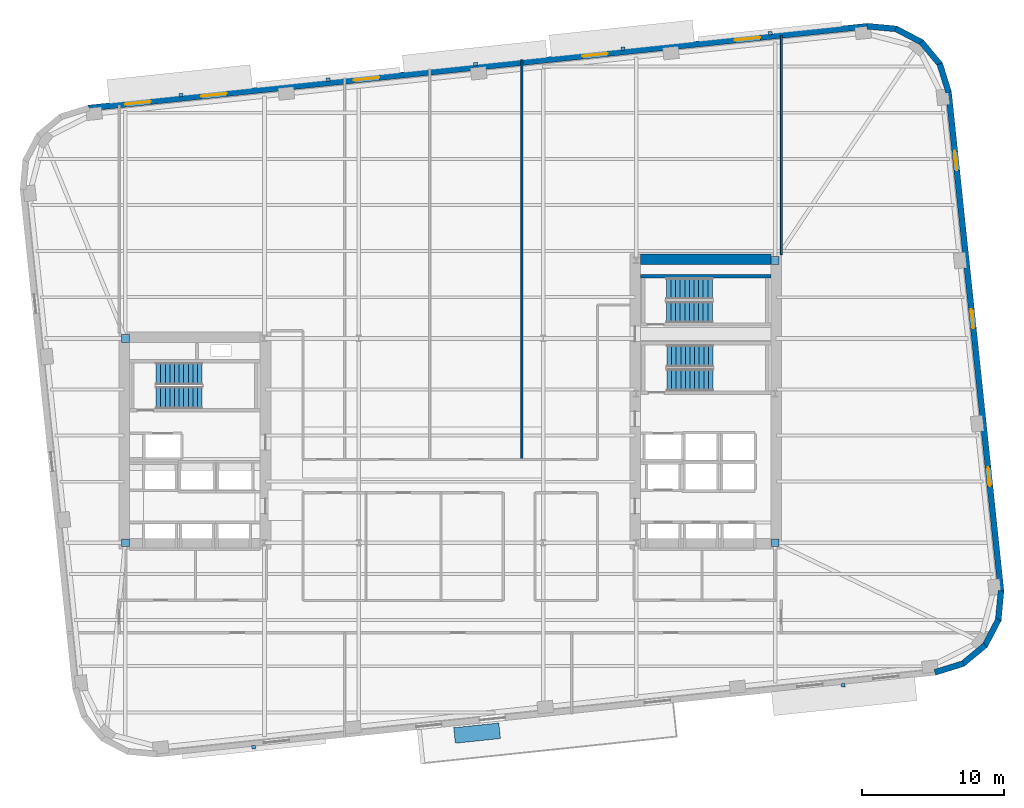
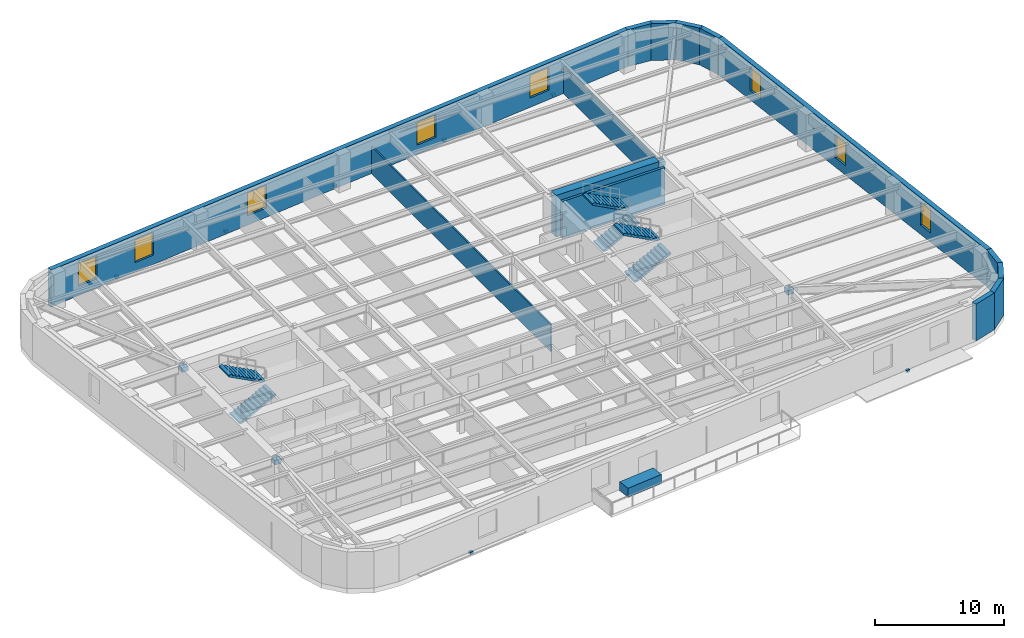
# One storey, part 7 of 11: 14 walls, 12 discrete accessories, 8 windows, 6 stair flights, 8 openings, 3 elements without a shape of their own.
"""IFC4 building model written with IfcOpenShell, lengths in metres."""

from ifc_helpers import new_model, si_unit, direction, frame, frame_2d, origin, origin_2d, place, context, subcontext, project, spatial, polyline, rectangle, outline, extrude, material, layer, layer_set, type_object, element, fill, aggregate, save


model = new_model("IFC4")

# Units and contexts
model_context = context("Model", 3, precision=1e-05, world=origin(), true_north=direction((0.0, 1.0)))
body_context = subcontext(model_context, "Body", "Model", "MODEL_VIEW")
ifc_project = project(units=[si_unit("LENGTHUNIT", "METRE"), si_unit("AREAUNIT", "SQUARE_METRE"), si_unit("VOLUMEUNIT", "CUBIC_METRE"), si_unit("PLANEANGLEUNIT", "RADIAN"), si_unit("MASSUNIT", "GRAM", prefix="KILO")], contexts=[model_context])

# Site, building, storey
site_placement = place(None, origin())
site = spatial("IfcSite", under=ifc_project, at=site_placement, CompositionType="ELEMENT")
building_placement = place(site_placement, origin())
building = spatial("IfcBuilding", under=site, at=building_placement, Name="Kolvaren Arena Tower", CompositionType="ELEMENT")
storey_placement = place(building_placement, frame((0.0, 0.0, 99.699951171875)))
storey = spatial("IfcBuildingStorey", under=building, at=storey_placement, Name="L22", CompositionType="ELEMENT", Elevation=99.699951171875)

# Walls
ifc_material_1 = material(Name="Concrete 70 MPa", Category="concrete")
ifc_layer_1 = layer(ifc_material_1, 0.75)
ifc_layer_set_1 = layer_set([ifc_layer_1], Name="Concrete 70 MPa")
wall_type_1 = type_object("IfcWallType", Name="CWALL-750", PredefinedType="SHEAR", material=ifc_layer_set_1)
wall_1_placement = place(storey_placement, frame((50.85009765625, 39.425048828125, -0.449951171875), z_axis=(0.0, 0.0, 1.0), x_axis=(1.0, 0.0, 0.0)))
element("IfcWall", 1, at=wall_1_placement, inside=storey, type_object=wall_type_1, Name="Core Shear Wall EC-NORTH (L22)", PredefinedType="SHEAR", context=body_context, shape_type="SweptSolid", body=[
    extrude(rectangle(XDim=9.199951171875, YDim=0.75, at=frame_2d((4.60009765625, 0.0))), origin(), (0.0, 0.0, 1.0), 3.929931640625),
])
ifc_material_2 = material(Name="Precast concrete C50/60", Category="concrete")
ifc_layer_2 = layer(ifc_material_2, 0.419921875)
ifc_layer_set_2 = layer_set([ifc_layer_2], Name="Precast concrete C50/60")
wall_type_2 = type_object("IfcWallType", Name="EXT-PIER1", PredefinedType="SOLIDWALL", material=ifc_layer_set_2)
for number, where, z_axis, x_axis, name in (
    (2, (73.61328125, 10.93701171875, 0.0), (0.0, 0.0, 1.0), (-0.954993985335, -0.296625164093, 0.0), "Exterior Precast Masonry-Frame Wall (L22)"),
    (3, (75.1611328125, 12.2451171875, 0.0), (0.0, 0.0, 1.0), (-0.768800317178, -0.639488914921, 0.0), "Exterior Precast Masonry-Frame Wall (L22)"),
):
    element("IfcWall", number, at=place(storey_placement, frame(where, z_axis=z_axis, x_axis=x_axis)), inside=storey, type_object=wall_type_2, Name=name, PredefinedType="SOLIDWALL", context=body_context, shape_type="SweptSolid", body=[
        extrude(rectangle(XDim=2.10693359375, YDim=0.419921875, at=frame_2d((1.053466796875, 0.0))), origin(), (0.0, 0.0, 1.0), 3.47998046875),
    ])
wall_2_placement = place(storey_placement, frame((76.0908203125, 14.046142578125, 0.0), z_axis=(0.0, 0.0, 1.0), x_axis=(-0.465655699908, -0.884965970613, 0.0)))
element("IfcWall", 4, at=wall_2_placement, inside=storey, type_object=wall_type_2, Name="Exterior Precast Masonry-Frame Wall (L22)", PredefinedType="SOLIDWALL", context=body_context, shape_type="SweptSolid", body=[
    extrude(rectangle(XDim=2.107177734375, YDim=0.419921875, at=frame_2d((1.0537109375, 0.0))), origin(), (0.0, 0.0, 1.0), 3.47998046875),
])
wall_3_placement = place(storey_placement, frame((76.26025390625, 16.065673828125, 0.0), z_axis=(0.0, 0.0, 1.0), x_axis=(-0.091538655308, -0.995801523691, 0.0)))
element("IfcWall", 5, at=wall_3_placement, inside=storey, type_object=wall_type_2, Name="Exterior Precast Masonry-Frame Wall (L22)", PredefinedType="SOLIDWALL", context=body_context, shape_type="SweptSolid", body=[
    extrude(rectangle(XDim=2.10693359375, YDim=0.419921875, at=frame_2d((1.053466796875, 0.0))), origin(), (0.0, 0.0, 1.0), 3.47998046875),
])

# Wall, openings, windows
wall_4_placement = place(storey_placement, frame((72.560302734375, 51.23046875, 0.0), z_axis=(0.0, 0.0, 1.0), x_axis=(0.1045253859, -0.994522218808, 0.0)))
wall_4 = element("IfcWall", 6, at=wall_4_placement, inside=storey, type_object=wall_type_2, Name="Exterior Precast Masonry-Frame Wall (L22)", PredefinedType="SOLIDWALL", context=body_context, shape_type="SweptSolid", body=[
    extrude(rectangle(XDim=35.39990234375, YDim=0.419921875, at=frame_2d((17.699951171875, 0.0))), origin(), (0.0, 0.0, 1.0), 3.47998046875),
])
opening_1_placement = place(wall_4_placement, frame((4.199951171875, 0.0, 0.8798828125)))
opening_1 = element("IfcOpeningElement", 7, at=opening_1_placement, cuts=wall_4, Name="Opening W04", PredefinedType="OPENING", context=body_context, shape_type="SweptSolid", body=[
    extrude(rectangle(XDim=1.35009765625, YDim=2.199951171875, at=frame_2d((0.675048828125, 1.10009765625))), frame((0.0, 0.219970703125, 0.0), z_axis=(0.0, -1.0, 0.0), x_axis=(1.0, 0.0, 0.0)), (0.0, 0.0, 1.0), 0.43994140625),
])
opening_2_placement = place(wall_4_placement, frame((15.39990234375, 0.0, 0.8798828125)))
opening_2 = element("IfcOpeningElement", 8, at=opening_2_placement, cuts=wall_4, Name="Opening W04", PredefinedType="OPENING", context=body_context, shape_type="SweptSolid", body=[
    extrude(rectangle(XDim=1.35009765625, YDim=2.199951171875, at=frame_2d((0.675048828125, 1.10009765625))), frame((0.0, 0.219970703125, 0.0), z_axis=(0.0, -1.0, 0.0), x_axis=(1.0, 0.0, 0.0)), (0.0, 0.0, 1.0), 0.43994140625),
])
opening_3_placement = place(wall_4_placement, frame((26.60009765625, 0.0, 0.8798828125)))
opening_3 = element("IfcOpeningElement", 9, at=opening_3_placement, cuts=wall_4, Name="Opening W04", PredefinedType="OPENING", context=body_context, shape_type="SweptSolid", body=[
    extrude(rectangle(XDim=1.35009765625, YDim=2.199951171875, at=frame_2d((0.675048828125, 1.10009765625))), frame((0.0, 0.219970703125, 0.0), z_axis=(0.0, -1.0, 0.0), x_axis=(1.0, 0.0, 0.0)), (0.0, 0.0, 1.0), 0.43994140625),
])
ifc_material_3 = material(Name="Triple-glazed curved-facet corner window", Category="glass")
window_type_1 = type_object("IfcWindowType", Name="WIN-CRN-A", PartitioningType="SINGLE_PANEL", PredefinedType="WINDOW", material=ifc_material_3)
window_1_placement = place(opening_1_placement, origin())
window_1 = element("IfcWindow", 10, at=window_1_placement, inside=storey, type_object=window_type_1, Name="End-Wall Punched Window (L22)", OverallHeight=2.199951171875, OverallWidth=1.35009765625, PartitioningType="SINGLE_PANEL", PredefinedType="WINDOW", context=body_context, shape_type="SweptSolid", body=[
    extrude(rectangle(XDim=1.35009765625, YDim=2.199951171875, at=frame_2d((0.675048828125, 1.10009765625))), frame((0.0, 0.030029296875, 0.0), z_axis=(0.0, -1.0, 0.0), x_axis=(1.0, 0.0, 0.0)), (0.0, 0.0, 1.0), 0.06005859375),
])
fill(opening_1, window_1)
window_2_placement = place(opening_2_placement, origin())
window_2 = element("IfcWindow", 11, at=window_2_placement, inside=storey, type_object=window_type_1, Name="End-Wall Punched Window (L22)", OverallHeight=2.199951171875, OverallWidth=1.35009765625, PartitioningType="SINGLE_PANEL", PredefinedType="WINDOW", context=body_context, shape_type="SweptSolid", body=[
    extrude(rectangle(XDim=1.35009765625, YDim=2.199951171875, at=frame_2d((0.675048828125, 1.10009765625))), frame((0.0, 0.030029296875, 0.0), z_axis=(0.0, -1.0, 0.0), x_axis=(1.0, 0.0, 0.0)), (0.0, 0.0, 1.0), 0.06005859375),
])
fill(opening_2, window_2)
window_3_placement = place(opening_3_placement, origin())
window_3 = element("IfcWindow", 12, at=window_3_placement, inside=storey, type_object=window_type_1, Name="End-Wall Punched Window (L22)", OverallHeight=2.199951171875, OverallWidth=1.35009765625, PartitioningType="SINGLE_PANEL", PredefinedType="WINDOW", context=body_context, shape_type="SweptSolid", body=[
    extrude(rectangle(XDim=1.35009765625, YDim=2.199951171875, at=frame_2d((0.675048828125, 1.10009765625))), frame((0.0, 0.030029296875, 0.0), z_axis=(0.0, -1.0, 0.0), x_axis=(1.0, 0.0, 0.0)), (0.0, 0.0, 1.0), 0.06005859375),
])
fill(opening_3, window_3)

# Walls
for number, where, z_axis, x_axis, name in (
    (13, (71.943603515625, 53.202392578125, 0.0), (0.0, 0.0, 1.0), (0.296625164093, -0.954993985335, 0.0), "Exterior Precast Masonry-Frame Wall (L22)"),
    (14, (70.635498046875, 54.750244140625, 0.0), (0.0, 0.0, 1.0), (0.639488914921, -0.768800317178, 0.0), "Exterior Precast Masonry-Frame Wall (L22)"),
    (15, (68.83447265625, 55.6796875, 0.0), (0.0, 0.0, 1.0), (0.885013714693, -0.465564952296, 0.0), "Exterior Precast Masonry-Frame Wall (L22)"),
    (16, (66.81494140625, 55.849365234375, 0.0), (0.0, 0.0, 1.0), (0.995801523691, -0.091538655308, 0.0), "Exterior Precast Masonry-Frame Wall (L22)"),
):
    element("IfcWall", number, at=place(storey_placement, frame(where, z_axis=z_axis, x_axis=x_axis)), inside=storey, type_object=wall_type_2, Name=name, PredefinedType="SOLIDWALL", context=body_context, shape_type="SweptSolid", body=[
        extrude(rectangle(XDim=2.10693359375, YDim=0.419921875, at=frame_2d((1.053466796875, 0.0))), origin(), (0.0, 0.0, 1.0), 3.47998046875),
    ])

# Wall, openings, windows
wall_5_placement = place(storey_placement, frame((11.95849609375, 50.07958984375, 0.0), z_axis=(0.0, 0.0, 1.0), x_axis=(0.994521823388, 0.104529148113, 0.0)))
wall_5 = element("IfcWall", 17, at=wall_5_placement, inside=storey, type_object=wall_type_2, Name="Exterior Precast Masonry-Frame Wall (L22)", PredefinedType="SOLIDWALL", context=body_context, shape_type="SweptSolid", body=[
    extrude(rectangle(XDim=55.2001953125, YDim=0.419921875, at=frame_2d((27.60009765625, 0.0))), origin(), (0.0, 0.0, 1.0), 3.47998046875),
])
opening_4_placement = place(wall_5_placement, frame((2.60009765625, 0.0, 0.8798828125)))
opening_4 = element("IfcOpeningElement", 18, at=opening_4_placement, cuts=wall_5, Name="Opening W02", PredefinedType="OPENING", context=body_context, shape_type="SweptSolid", body=[
    extrude(rectangle(XDim=1.800048828125, YDim=2.14990234375, at=frame_2d((0.89990234375, 1.074951171875))), frame((0.0, 0.219970703125, 0.0), z_axis=(0.0, -1.0, 0.0), x_axis=(1.0, 0.0, 0.0)), (0.0, 0.0, 1.0), 0.43994140625),
])
opening_5_placement = place(wall_5_placement, frame((8.0, 0.0, 0.8798828125)))
opening_5 = element("IfcOpeningElement", 19, at=opening_5_placement, cuts=wall_5, Name="Opening W02", PredefinedType="OPENING", context=body_context, shape_type="SweptSolid", body=[
    extrude(rectangle(XDim=1.800048828125, YDim=2.14990234375, at=frame_2d((0.89990234375, 1.074951171875))), frame((0.0, 0.219970703125, 0.0), z_axis=(0.0, -1.0, 0.0), x_axis=(1.0, 0.0, 0.0)), (0.0, 0.0, 1.0), 0.43994140625),
])
opening_6_placement = place(wall_5_placement, frame((18.800048828125, 0.0, 0.8798828125)))
opening_6 = element("IfcOpeningElement", 20, at=opening_6_placement, cuts=wall_5, Name="Opening W02", PredefinedType="OPENING", context=body_context, shape_type="SweptSolid", body=[
    extrude(rectangle(XDim=1.800048828125, YDim=2.14990234375, at=frame_2d((0.89990234375, 1.074951171875))), frame((0.0, 0.219970703125, 0.0), z_axis=(0.0, -1.0, 0.0), x_axis=(1.0, 0.0, 0.0)), (0.0, 0.0, 1.0), 0.43994140625),
])
opening_7_placement = place(wall_5_placement, frame((35.0, 0.0, 0.8798828125)))
opening_7 = element("IfcOpeningElement", 21, at=opening_7_placement, cuts=wall_5, Name="Opening W02", PredefinedType="OPENING", context=body_context, shape_type="SweptSolid", body=[
    extrude(rectangle(XDim=1.800048828125, YDim=2.14990234375, at=frame_2d((0.89990234375, 1.074951171875))), frame((0.0, 0.219970703125, 0.0), z_axis=(0.0, -1.0, 0.0), x_axis=(1.0, 0.0, 0.0)), (0.0, 0.0, 1.0), 0.43994140625),
])
opening_8_placement = place(wall_5_placement, frame((45.800048828125, 0.0, 0.8798828125)))
opening_8 = element("IfcOpeningElement", 22, at=opening_8_placement, cuts=wall_5, Name="Opening W02", PredefinedType="OPENING", context=body_context, shape_type="SweptSolid", body=[
    extrude(rectangle(XDim=1.800048828125, YDim=2.14990234375, at=frame_2d((0.89990234375, 1.074951171875))), frame((0.0, 0.219970703125, 0.0), z_axis=(0.0, -1.0, 0.0), x_axis=(1.0, 0.0, 0.0)), (0.0, 0.0, 1.0), 0.43994140625),
])
ifc_material_4 = material(Name="Triple-glazed low-E aluminium window", Category="aluminium")
window_type_2 = type_object("IfcWindowType", Name="WIN-OFF-B", PartitioningType="DOUBLE_PANEL_VERTICAL", PredefinedType="WINDOW", material=ifc_material_4)
window_4_placement = place(opening_4_placement, origin())
window_4 = element("IfcWindow", 23, at=window_4_placement, inside=storey, type_object=window_type_2, Name="Punched Precast-Pier Window (L22)", OverallHeight=2.14990234375, OverallWidth=1.800048828125, PartitioningType="DOUBLE_PANEL_VERTICAL", PredefinedType="WINDOW", context=body_context, shape_type="SweptSolid", body=[
    extrude(rectangle(XDim=1.800048828125, YDim=2.14990234375, at=frame_2d((0.89990234375, 1.074951171875))), frame((0.0, 0.030029296875, 0.0), z_axis=(0.0, -1.0, 0.0), x_axis=(1.0, 0.0, 0.0)), (0.0, 0.0, 1.0), 0.06005859375),
])
fill(opening_4, window_4)
window_5_placement = place(opening_5_placement, origin())
window_5 = element("IfcWindow", 24, at=window_5_placement, inside=storey, type_object=window_type_2, Name="Punched Precast-Pier Window (L22)", OverallHeight=2.14990234375, OverallWidth=1.800048828125, PartitioningType="DOUBLE_PANEL_VERTICAL", PredefinedType="WINDOW", context=body_context, shape_type="SweptSolid", body=[
    extrude(rectangle(XDim=1.800048828125, YDim=2.14990234375, at=frame_2d((0.89990234375, 1.074951171875))), frame((0.0, 0.030029296875, 0.0), z_axis=(0.0, -1.0, 0.0), x_axis=(1.0, 0.0, 0.0)), (0.0, 0.0, 1.0), 0.06005859375),
])
fill(opening_5, window_5)
window_6_placement = place(opening_6_placement, origin())
window_6 = element("IfcWindow", 25, at=window_6_placement, inside=storey, type_object=window_type_2, Name="Punched Precast-Pier Window (L22)", OverallHeight=2.14990234375, OverallWidth=1.800048828125, PartitioningType="DOUBLE_PANEL_VERTICAL", PredefinedType="WINDOW", context=body_context, shape_type="SweptSolid", body=[
    extrude(rectangle(XDim=1.800048828125, YDim=2.14990234375, at=frame_2d((0.89990234375, 1.074951171875))), frame((0.0, 0.030029296875, 0.0), z_axis=(0.0, -1.0, 0.0), x_axis=(1.0, 0.0, 0.0)), (0.0, 0.0, 1.0), 0.06005859375),
])
fill(opening_6, window_6)
window_7_placement = place(opening_7_placement, origin())
window_7 = element("IfcWindow", 26, at=window_7_placement, inside=storey, type_object=window_type_2, Name="Punched Precast-Pier Window (L22)", OverallHeight=2.14990234375, OverallWidth=1.800048828125, PartitioningType="DOUBLE_PANEL_VERTICAL", PredefinedType="WINDOW", context=body_context, shape_type="SweptSolid", body=[
    extrude(rectangle(XDim=1.800048828125, YDim=2.14990234375, at=frame_2d((0.89990234375, 1.074951171875))), frame((0.0, 0.030029296875, 0.0), z_axis=(0.0, -1.0, 0.0), x_axis=(1.0, 0.0, 0.0)), (0.0, 0.0, 1.0), 0.06005859375),
])
fill(opening_7, window_7)
window_8_placement = place(opening_8_placement, origin())
window_8 = element("IfcWindow", 27, at=window_8_placement, inside=storey, type_object=window_type_2, Name="Punched Precast-Pier Window (L22)", OverallHeight=2.14990234375, OverallWidth=1.800048828125, PartitioningType="DOUBLE_PANEL_VERTICAL", PredefinedType="WINDOW", context=body_context, shape_type="SweptSolid", body=[
    extrude(rectangle(XDim=1.800048828125, YDim=2.14990234375, at=frame_2d((0.89990234375, 1.074951171875))), frame((0.0, 0.030029296875, 0.0), z_axis=(0.0, -1.0, 0.0), x_axis=(1.0, 0.0, 0.0)), (0.0, 0.0, 1.0), 0.06005859375),
])
fill(opening_8, window_8)

# Walls
ifc_material_5 = material(Name="Gypsum board partition assembly", Category="gypsum")
ifc_layer_3 = layer(ifc_material_5, 0.135009765625)
ifc_layer_set_3 = layer_set([ifc_layer_3], Name="Gypsum board partition assembly")
wall_type_3 = type_object("IfcWallType", Name="PART-135", PredefinedType="PARTITIONING", material=ifc_layer_set_3)
wall_6_placement = place(storey_placement, frame((42.5, 25.320068359375, 0.0), z_axis=(0.0, 0.0, 1.0), x_axis=(0.0, 1.0, 0.0)))
element("IfcWall", 28, at=wall_6_placement, inside=storey, type_object=wall_type_3, Name="Interior Partition Wall (L22)", PredefinedType="PARTITIONING", context=body_context, shape_type="SweptSolid", body=[
    extrude(rectangle(XDim=28.1806640625, YDim=0.135009765625, at=frame_2d((14.09033203125, 0.0))), origin(), (0.0, 0.0, 1.0), 2.5400390625),
])
wall_7_placement = place(storey_placement, frame((60.780029296875, 39.75, 0.0), z_axis=(0.0, 0.0, 1.0), x_axis=(0.0, 1.0, 0.0)))
element("IfcWall", 29, at=wall_7_placement, inside=storey, type_object=wall_type_3, Name="Interior Partition Wall (L22)", PredefinedType="PARTITIONING", context=body_context, shape_type="SweptSolid", body=[
    extrude(rectangle(XDim=15.430908203125, YDim=0.135009765625, at=frame_2d((7.71533203125, 0.0))), origin(), (0.0, 0.0, 1.0), 2.5400390625),
])
ifc_material_6 = material(Name="Concrete 45 MPa", Category="concrete")
ifc_layer_4 = layer(ifc_material_6, 0.25)
ifc_layer_set_4 = layer_set([ifc_layer_4], Name="Concrete 45 MPa")
wall_type_4 = type_object("IfcWallType", Name="SHAFT-250", PredefinedType="SOLIDWALL", material=ifc_layer_set_4)
wall_8_placement = place(storey_placement, frame((50.85009765625, 38.219970703125, 0.0), z_axis=(0.0, 0.0, 1.0), x_axis=(1.0, 0.0, 0.0)))
element("IfcWall", 30, at=wall_8_placement, inside=storey, type_object=wall_type_4, Name="Core Shaft Wall (L22)", PredefinedType="SOLIDWALL", context=body_context, shape_type="SweptSolid", body=[
    extrude(rectangle(XDim=9.199951171875, YDim=0.239990234375, at=frame_2d((4.60009765625, 0.0))), origin(), (0.0, 0.0, 1.0), 3.47998046875),
])

# Stair, stair flights
stair_type_1 = type_object("IfcStairType", Name="STAIR-CORE-150", PredefinedType="HALF_TURN_STAIR", material=ifc_material_6)
stair_1_placement = place(storey_placement, origin())
stair_1 = element("IfcStair", 31, at=stair_1_placement, inside=storey, type_object=stair_type_1, Name="L22 ST-E2", PredefinedType="HALF_TURN_STAIR")
stair_flight_type_1 = type_object("IfcStairFlightType", Name="FLT-150", PredefinedType="STRAIGHT", material=ifc_material_6)
stair_flight_1_placement = place(storey_placement, frame((52.679931640625, 35.699951171875, 0.0), z_axis=(0.0, 0.0, 1.0), x_axis=(1.0, 0.0, 0.0)))
stair_flight_1 = element("IfcStairFlight", 32, at=stair_flight_1_placement, type_object=stair_flight_type_1, Name="ST-E2 flight 1", NumberOfRisers=11, NumberOfTreads=10, PredefinedType="STRAIGHT", RiserHeight=0.170454545, TreadLength=0.324, context=body_context, shape_type="SweptSolid", body=[
    extrude(outline(polyline([(0.0, 0.0), (0.0, 0.17041015625), (0.323974609375, 0.17041015625), (0.323974609375, 0.3408203125), (0.64794921875, 0.3408203125), (0.64794921875, 0.511474609375), (0.971923828125, 0.511474609375), (0.971923828125, 0.681884765625), (1.2958984375, 0.681884765625), (1.2958984375, 0.852294921875), (1.6201171875, 0.852294921875), (1.6201171875, 1.022705078125), (1.944091796875, 1.022705078125), (1.944091796875, 1.193115234375), (2.26806640625, 1.193115234375), (2.26806640625, 1.363525390625), (2.592041015625, 1.363525390625), (2.592041015625, 1.5341796875), (2.916015625, 1.5341796875), (2.916015625, 1.70458984375), (3.239990234375, 1.70458984375), (3.239990234375, 1.875), (3.239990234375, 1.53515625), (0.322021484375, 0.0), (0.0, 0.0)])), frame((0.0, 0.75, 0.0), z_axis=(0.0, -1.0, 0.0), x_axis=(1.0, 0.0, 0.0)), (0.0, 0.0, 1.0), 1.5),
])
stair_flight_2_placement = place(storey_placement, frame((55.919921875, 37.35009765625, 1.875), z_axis=(0.0, 0.0, 1.0), x_axis=(-1.0, 0.0, 0.0)))
stair_flight_2 = element("IfcStairFlight", 33, at=stair_flight_2_placement, type_object=stair_flight_type_1, Name="ST-E2 flight 2", NumberOfRisers=11, NumberOfTreads=10, PredefinedType="STRAIGHT", RiserHeight=0.170454545, TreadLength=0.324, context=body_context, shape_type="SweptSolid", body=[
    extrude(outline(polyline([(0.0, 0.0), (0.0, 0.17041015625), (0.323974609375, 0.17041015625), (0.323974609375, 0.3408203125), (0.64794921875, 0.3408203125), (0.64794921875, 0.511474609375), (0.971923828125, 0.511474609375), (0.971923828125, 0.681884765625), (1.2958984375, 0.681884765625), (1.2958984375, 0.852294921875), (1.6201171875, 0.852294921875), (1.6201171875, 1.022705078125), (1.944091796875, 1.022705078125), (1.944091796875, 1.193115234375), (2.26806640625, 1.193115234375), (2.26806640625, 1.363525390625), (2.592041015625, 1.363525390625), (2.592041015625, 1.5341796875), (2.916015625, 1.5341796875), (2.916015625, 1.70458984375), (3.239990234375, 1.70458984375), (3.239990234375, 1.875), (3.239990234375, 1.53515625), (0.322021484375, 0.0), (0.0, 0.0)])), frame((0.0, 0.75, 0.0), z_axis=(0.0, -1.0, 0.0), x_axis=(1.0, 0.0, 0.0)), (0.0, 0.0, 1.0), 1.5),
])
aggregate(stair_1, [stair_flight_1, stair_flight_2])

stair_type_2 = type_object("IfcStairType", Name="STAIR-CORE-165", PredefinedType="HALF_TURN_STAIR", material=ifc_material_6)
stair_2_placement = place(storey_placement, origin())
stair_2 = element("IfcStair", 34, at=stair_2_placement, inside=storey, type_object=stair_type_2, Name="L22 ST-W1", PredefinedType="HALF_TURN_STAIR")
stair_flight_type_2 = type_object("IfcStairFlightType", Name="FLT-165", PredefinedType="STRAIGHT", material=ifc_material_6)
stair_flight_3_placement = place(storey_placement, frame((16.719970703125, 29.669921875, 0.0), z_axis=(0.0, 0.0, 1.0), x_axis=(1.0, 0.0, 0.0)))
stair_flight_3 = element("IfcStairFlight", 35, at=stair_flight_3_placement, type_object=stair_flight_type_2, Name="ST-W1 flight 1", NumberOfRisers=11, NumberOfTreads=10, PredefinedType="STRAIGHT", RiserHeight=0.170454545, TreadLength=0.324, context=body_context, shape_type="SweptSolid", body=[
    extrude(outline(polyline([(0.0, 0.0), (0.0, 0.17041015625), (0.323974609375, 0.17041015625), (0.323974609375, 0.3408203125), (0.64794921875, 0.3408203125), (0.64794921875, 0.511474609375), (0.971923828125, 0.511474609375), (0.971923828125, 0.681884765625), (1.2958984375, 0.681884765625), (1.2958984375, 0.852294921875), (1.6201171875, 0.852294921875), (1.6201171875, 1.022705078125), (1.944091796875, 1.022705078125), (1.944091796875, 1.193115234375), (2.26806640625, 1.193115234375), (2.26806640625, 1.363525390625), (2.592041015625, 1.363525390625), (2.592041015625, 1.5341796875), (2.916015625, 1.5341796875), (2.916015625, 1.70458984375), (3.239990234375, 1.70458984375), (3.239990234375, 1.875), (3.239990234375, 1.53515625), (0.322021484375, 0.0), (0.0, 0.0)])), frame((0.0, 0.77001953125, 0.0), z_axis=(0.0, -1.0, 0.0), x_axis=(1.0, 0.0, 0.0)), (0.0, 0.0, 1.0), 1.5400390625),
])
stair_flight_4_placement = place(storey_placement, frame((19.9599609375, 31.360107421875, 1.875), z_axis=(0.0, 0.0, 1.0), x_axis=(-1.0, 0.0, 0.0)))
stair_flight_4 = element("IfcStairFlight", 36, at=stair_flight_4_placement, type_object=stair_flight_type_2, Name="ST-W1 flight 2", NumberOfRisers=11, NumberOfTreads=10, PredefinedType="STRAIGHT", RiserHeight=0.170454545, TreadLength=0.324, context=body_context, shape_type="SweptSolid", body=[
    extrude(outline(polyline([(0.0, 0.0), (0.0, 0.17041015625), (0.323974609375, 0.17041015625), (0.323974609375, 0.3408203125), (0.64794921875, 0.3408203125), (0.64794921875, 0.511474609375), (0.971923828125, 0.511474609375), (0.971923828125, 0.681884765625), (1.2958984375, 0.681884765625), (1.2958984375, 0.852294921875), (1.6201171875, 0.852294921875), (1.6201171875, 1.022705078125), (1.944091796875, 1.022705078125), (1.944091796875, 1.193115234375), (2.26806640625, 1.193115234375), (2.26806640625, 1.363525390625), (2.592041015625, 1.363525390625), (2.592041015625, 1.5341796875), (2.916015625, 1.5341796875), (2.916015625, 1.70458984375), (3.239990234375, 1.70458984375), (3.239990234375, 1.875), (3.239990234375, 1.53515625), (0.322021484375, 0.0), (0.0, 0.0)])), frame((0.0, 0.77001953125, 0.0), z_axis=(0.0, -1.0, 0.0), x_axis=(1.0, 0.0, 0.0)), (0.0, 0.0, 1.0), 1.5400390625),
])
aggregate(stair_2, [stair_flight_3, stair_flight_4])

stair_3_placement = place(storey_placement, origin())
stair_3 = element("IfcStair", 37, at=stair_3_placement, inside=storey, type_object=stair_type_2, Name="L22 ST-E1", PredefinedType="HALF_TURN_STAIR")
stair_flight_5_placement = place(storey_placement, frame((52.719970703125, 30.919921875, 0.0), z_axis=(0.0, 0.0, 1.0), x_axis=(1.0, 0.0, 0.0)))
stair_flight_5 = element("IfcStairFlight", 38, at=stair_flight_5_placement, type_object=stair_flight_type_2, Name="ST-E1 flight 1", NumberOfRisers=11, NumberOfTreads=10, PredefinedType="STRAIGHT", RiserHeight=0.170454545, TreadLength=0.324, context=body_context, shape_type="SweptSolid", body=[
    extrude(outline(polyline([(0.0, 0.0), (0.0, 0.17041015625), (0.323974609375, 0.17041015625), (0.323974609375, 0.3408203125), (0.64794921875, 0.3408203125), (0.64794921875, 0.511474609375), (0.971923828125, 0.511474609375), (0.971923828125, 0.681884765625), (1.2958984375, 0.681884765625), (1.2958984375, 0.852294921875), (1.6201171875, 0.852294921875), (1.6201171875, 1.022705078125), (1.944091796875, 1.022705078125), (1.944091796875, 1.193115234375), (2.26806640625, 1.193115234375), (2.26806640625, 1.363525390625), (2.592041015625, 1.363525390625), (2.592041015625, 1.5341796875), (2.916015625, 1.5341796875), (2.916015625, 1.70458984375), (3.239990234375, 1.70458984375), (3.239990234375, 1.875), (3.239990234375, 1.53515625), (0.322021484375, 0.0), (0.0, 0.0)])), frame((0.0, 0.77001953125, 0.0), z_axis=(0.0, -1.0, 0.0), x_axis=(1.0, 0.0, 0.0)), (0.0, 0.0, 1.0), 1.5400390625),
])
stair_flight_6_placement = place(storey_placement, frame((55.9599609375, 32.610107421875, 1.875), z_axis=(0.0, 0.0, 1.0), x_axis=(-1.0, 0.0, 0.0)))
stair_flight_6 = element("IfcStairFlight", 39, at=stair_flight_6_placement, type_object=stair_flight_type_2, Name="ST-E1 flight 2", NumberOfRisers=11, NumberOfTreads=10, PredefinedType="STRAIGHT", RiserHeight=0.170454545, TreadLength=0.324, context=body_context, shape_type="SweptSolid", body=[
    extrude(outline(polyline([(0.0, 0.0), (0.0, 0.17041015625), (0.323974609375, 0.17041015625), (0.323974609375, 0.3408203125), (0.64794921875, 0.3408203125), (0.64794921875, 0.511474609375), (0.971923828125, 0.511474609375), (0.971923828125, 0.681884765625), (1.2958984375, 0.681884765625), (1.2958984375, 0.852294921875), (1.6201171875, 0.852294921875), (1.6201171875, 1.022705078125), (1.944091796875, 1.022705078125), (1.944091796875, 1.193115234375), (2.26806640625, 1.193115234375), (2.26806640625, 1.363525390625), (2.592041015625, 1.363525390625), (2.592041015625, 1.5341796875), (2.916015625, 1.5341796875), (2.916015625, 1.70458984375), (3.239990234375, 1.70458984375), (3.239990234375, 1.875), (3.239990234375, 1.53515625), (0.322021484375, 0.0), (0.0, 0.0)])), frame((0.0, 0.77001953125, 0.0), z_axis=(0.0, -1.0, 0.0), x_axis=(1.0, 0.0, 0.0)), (0.0, 0.0, 1.0), 1.5400390625),
])
aggregate(stair_3, [stair_flight_5, stair_flight_6])

# Discrete accessories
ifc_material_7 = material(Name="Stainless steel facade support bracket", Category="steel")
discrete_accessory_type_1 = type_object("IfcDiscreteAccessoryType", Name="ACC-BRKT-1", PredefinedType="BRACKET", material=ifc_material_7)
for number, where, z_axis, x_axis, name in (
    (40, (18.468505859375, 50.9951171875, -0.18017578125), (0.0, 0.0, 1.0), (0.994522077803, 0.104526727499, 0.0), "Sunshade Support Bracket (L22)"),
    (41, (28.851318359375, 52.08642578125, -0.18017578125), (0.0, 0.0, 1.0), (0.994522077803, 0.104526727499, 0.0), "Sunshade Support Bracket (L22)"),
    (42, (39.234130859375, 53.177734375, -0.18017578125), (0.0, 0.0, 1.0), (0.994522077803, 0.104526727499, 0.0), "Sunshade Support Bracket (L22)"),
    (43, (49.616943359375, 54.268798828125, -0.18017578125), (0.0, 0.0, 1.0), (0.994522077803, 0.104526727499, 0.0), "Sunshade Support Bracket (L22)"),
    (44, (59.999755859375, 55.360107421875, -0.18017578125), (0.0, 0.0, 1.0), (0.994522077803, 0.104526727499, 0.0), "Sunshade Support Bracket (L22)"),
    (45, (65.131591796875, 9.40478515625, -0.18017578125), (0.0, 0.0, 1.0), (-0.994522077803, -0.104526727499, 0.0), "Sunshade Support Bracket (L22)"),
    (46, (23.600341796875, 5.039794921875, -0.18017578125), (0.0, 0.0, 1.0), (-0.994522077803, -0.104526727499, 0.0), "Sunshade Support Bracket (L22)"),
):
    element("IfcDiscreteAccessory", number, at=place(storey_placement, frame(where, z_axis=z_axis, x_axis=x_axis)), inside=storey, type_object=discrete_accessory_type_1, Name=name, PredefinedType="BRACKET", context=body_context, shape_type="SweptSolid", body=[
        extrude(rectangle(XDim=0.280029296875, YDim=0.239990234375, at=origin_2d()), origin(), (0.0, 0.0, 1.0), 0.239990234375),
    ])
ifc_material_8 = material(Name="Steel CSA G40.21 350W bolted gusset connection", Category="steel")
discrete_accessory_type_2 = type_object("IfcDiscreteAccessoryType", Name="ACC-CONN-1", PredefinedType="BRACKET", material=ifc_material_8)
for number, where, z_axis, x_axis, name in (
    (47, (60.35009765625, 19.449951171875, 2.87353515625), (0.0, 0.0, 1.0), (1.0, 0.0, 0.0), "Core Wall Cast-In Embed Plate EP1 (L22)"),
    (48, (60.35009765625, 39.35009765625, 2.87353515625), (0.0, 0.0, 1.0), (1.0, 0.0, 0.0), "Core Wall Cast-In Embed Plate EP1 (L22)"),
    (49, (14.550048828125, 33.85009765625, 2.87353515625), (0.0, 0.0, 1.0), (1.0, 0.0, 0.0), "Core Wall Cast-In Embed Plate EP1 (L22)"),
    (50, (14.550048828125, 19.449951171875, 2.87353515625), (0.0, 0.0, 1.0), (1.0, 0.0, 0.0), "Core Wall Cast-In Embed Plate EP1 (L22)"),
):
    element("IfcDiscreteAccessory", number, at=place(storey_placement, frame(where, z_axis=z_axis, x_axis=x_axis)), inside=storey, type_object=discrete_accessory_type_2, Name=name, PredefinedType="BRACKET", context=body_context, shape_type="SweptSolid", body=[
        extrude(rectangle(XDim=0.56005859375, YDim=0.56005859375, at=origin_2d()), origin(), (0.0, 0.0, 1.0), 0.43994140625),
    ])
ifc_material_9 = material(Name="Precast concrete C45/55 structural planter with planting soil", Category="concrete")
discrete_accessory_type_3 = type_object("IfcDiscreteAccessoryType", Name="ACC-PLNT-1", PredefinedType="USERDEFINED", material=ifc_material_9)
discrete_accessory_placement = place(storey_placement, frame((39.340087890625, 6.033203125, 0.0), z_axis=(0.0, 0.0, 1.0), x_axis=(0.994521895368, 0.104528463268, 0.0)))
element("IfcDiscreteAccessory", 51, at=discrete_accessory_placement, inside=storey, type_object=discrete_accessory_type_3, Name="Planted Terrace Soil Planter (L22)", ObjectType="PLANTER", PredefinedType="USERDEFINED", context=body_context, shape_type="SweptSolid", body=[
    extrude(rectangle(XDim=3.199951171875, YDim=1.10009765625, at=origin_2d()), origin(), (0.0, 0.0, 1.0), 0.85009765625),
])

save(model, "model.ifc")
